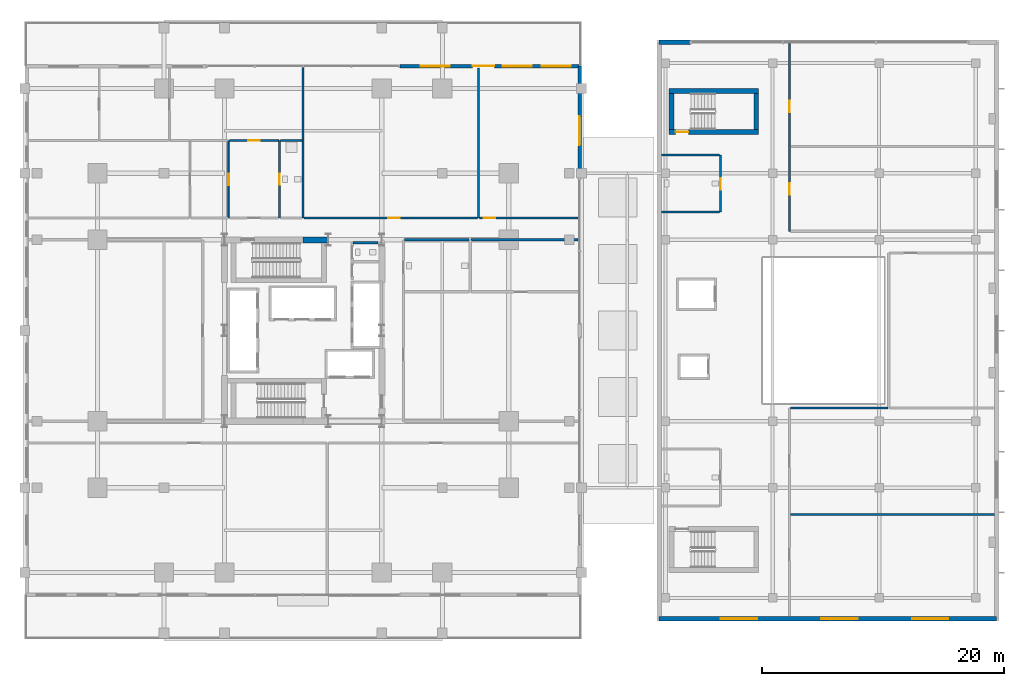
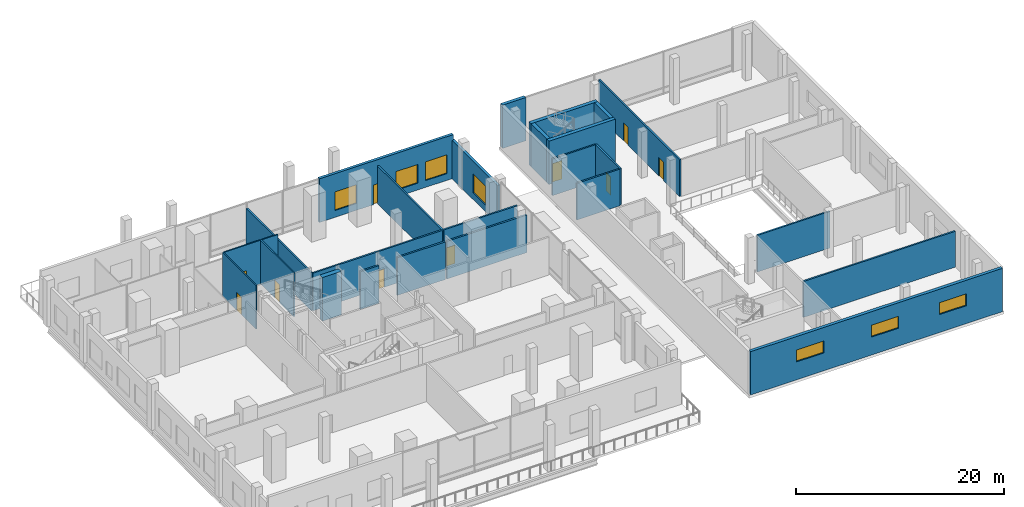
# One storey, part 28 of 36: 26 walls, 10 doors, 7 windows, 17 openings.
"""IFC4 building model written with IfcOpenShell, lengths in metres."""

from ifc_helpers import new_model, si_unit, direction, frame, frame_2d, origin, place, context, subcontext, project, spatial, rectangle, extrude, material, layer, layer_set, type_object, element, fill, save


model = new_model("IFC4")

# Units and contexts
model_context = context("Model", 3, precision=1e-05, world=origin(), true_north=direction((0.0, 1.0)))
body_context = subcontext(model_context, "Body", "Model", "MODEL_VIEW")
ifc_project = project(units=[si_unit("LENGTHUNIT", "METRE"), si_unit("AREAUNIT", "SQUARE_METRE"), si_unit("VOLUMEUNIT", "CUBIC_METRE"), si_unit("PLANEANGLEUNIT", "RADIAN"), si_unit("MASSUNIT", "GRAM", prefix="KILO")], contexts=[model_context])

# Site, building, storey
site_placement = place(None, origin())
site = spatial("IfcSite", under=ifc_project, at=site_placement, CompositionType="ELEMENT")
building_placement = place(site_placement, origin())
building = spatial("IfcBuilding", under=site, at=building_placement, Name="Barlavira Tower and Art Museum", CompositionType="ELEMENT")
storey_placement = place(building_placement, frame((0.0, 0.0, 11.39990234375)))
storey = spatial("IfcBuildingStorey", under=building, at=storey_placement, Name="L02", CompositionType="ELEMENT", Elevation=11.39990234375)

# Wall, opening, door
ifc_material_1 = material(Name="Gypsum acoustic stud partition", Category="gypsum")
ifc_layer_1 = layer(ifc_material_1, 0.1201171875, Name="Gypsum acoustic stud partition")
ifc_layer_set_1 = layer_set([ifc_layer_1], Name="Gypsum acoustic stud partition")
wall_type_1 = type_object("IfcWallType", Name="Apartment Internal Acoustic Partition 120", PredefinedType="PARTITIONING", material=ifc_layer_set_1)
wall_1_placement = place(storey_placement, frame((-6.14990234375, 9.300048828125, 0.0), z_axis=(0.0, 0.0, 1.0), x_axis=(0.0, 1.0, 0.0)))
wall_1 = element("IfcWall", 1, at=wall_1_placement, inside=storey, type_object=wall_type_1, Name="L02 Partition Wall 5", PredefinedType="PARTITIONING", context=body_context, shape_type="SweptSolid", body=[
    extrude(rectangle(XDim=6.39990234375, YDim=0.1201171875, at=frame_2d((3.199951171875, 0.0))), origin(), (0.0, 0.0, 1.0), 5.1201171875),
])
opening_1_placement = place(wall_1_placement, frame((2.72509765625, 0.0, 0.0)))
opening_1 = element("IfcOpeningElement", 2, at=opening_1_placement, cuts=wall_1, Name="Opening D-02", PredefinedType="OPENING", context=body_context, shape_type="SweptSolid", body=[
    extrude(rectangle(XDim=0.949951171875, YDim=2.10009765625, at=frame_2d((0.47509765625, 1.050048828125))), frame((0.0, 0.070068359375, 0.0), z_axis=(0.0, -1.0, 0.0), x_axis=(1.0, 0.0, 0.0)), (0.0, 0.0, 1.0), 0.14013671875),
])
ifc_material_2 = material(Name="Engineered coastal hardwood", Category="wood")
door_type_1 = type_object("IfcDoorType", Name="Living and Salon Glazed-Leaf Door 950x2100", OperationType="NOTDEFINED", PredefinedType="DOOR", material=ifc_material_2)
door_1_placement = place(opening_1_placement, origin())
door_1 = element("IfcDoor", 3, at=door_1_placement, inside=storey, type_object=door_type_1, Name="Apartment P2-NW Kitchen Door", OperationType="SINGLE_SWING_RIGHT", OverallHeight=2.10009765625, OverallWidth=0.949951171875, PredefinedType="DOOR", context=body_context, shape_type="SweptSolid", body=[
    extrude(rectangle(XDim=0.949951171875, YDim=2.10009765625, at=frame_2d((0.47509765625, 1.050048828125))), frame((0.0, 0.02490234375, 0.0), z_axis=(0.0, -1.0, 0.0), x_axis=(1.0, 0.0, 0.0)), (0.0, 0.0, 1.0), 0.050048828125),
])
fill(opening_1, door_1)

# Walls
ifc_material_3 = material(Name="Concrete C60", Category="concrete")
ifc_layer_2 = layer(ifc_material_3, 0.5, Name="Concrete C60")
ifc_layer_set_2 = layer_set([ifc_layer_2], Name="Concrete C60")
wall_type_2 = type_object("IfcWallType", Name="Core Structural Shear Wall 500 Concrete C60", PredefinedType="SHEAR", material=ifc_layer_set_2)
wall_2_placement = place(storey_placement, frame((0.0, 7.5, 0.0), z_axis=(0.0, 0.0, 1.0), x_axis=(1.0, 0.0, 0.0)))
element("IfcWall", 4, at=wall_2_placement, inside=storey, type_object=wall_type_2, Name="L02 Core Shear Wall CS-EN", PredefinedType="SHEAR", context=body_context, shape_type="SweptSolid", body=[
    extrude(rectangle(XDim=2.080078125, YDim=0.5, at=frame_2d((1.0400390625, 0.0))), origin(), (0.0, 0.0, 1.0), 5.1201171875),
])
ifc_material_4 = material(Name="Autoclaved aerated concrete masonry", Category="masonry")
ifc_layer_3 = layer(ifc_material_4, 0.199951171875, Name="Autoclaved aerated concrete masonry")
ifc_layer_set_3 = layer_set([ifc_layer_3], Name="Autoclaved aerated concrete masonry")
wall_type_3 = type_object("IfcWallType", Name="Fire Compartment and Shaft Wall 200", PredefinedType="SOLIDWALL", material=ifc_layer_set_3)
wall_3_placement = place(storey_placement, frame((4.1298828125, 7.25, 0.0), z_axis=(0.0, 0.0, 1.0), x_axis=(1.0, 0.0, 0.0)))
element("IfcWall", 5, at=wall_3_placement, inside=storey, type_object=wall_type_3, Name="L02 Partition Wall 31", PredefinedType="SOLIDWALL", context=body_context, shape_type="SweptSolid", body=[
    extrude(rectangle(XDim=2.070068359375, YDim=0.199951171875, at=frame_2d((1.03515625, 0.0))), origin(), (0.0, 0.0, 1.0), 4.41015625),
])
wall_4_placement = place(storey_placement, frame((8.3798828125, 7.5, 0.0), z_axis=(0.0, 0.0, 1.0), x_axis=(1.0, 0.0, 0.0)))
element("IfcWall", 6, at=wall_4_placement, inside=storey, type_object=wall_type_3, Name="L02 Partition Wall 33", PredefinedType="SOLIDWALL", context=body_context, shape_type="SweptSolid", body=[
    extrude(rectangle(XDim=5.340087890625, YDim=0.199951171875, at=frame_2d((2.669921875, 0.0))), origin(), (0.0, 0.0, 1.0), 4.41015625),
])
wall_5_placement = place(storey_placement, frame((13.8798828125, 7.5, 0.0), z_axis=(0.0, 0.0, 1.0), x_axis=(1.0, 0.0, 0.0)))
element("IfcWall", 7, at=wall_5_placement, inside=storey, type_object=wall_type_3, Name="L02 Partition Wall 34", PredefinedType="SOLIDWALL", context=body_context, shape_type="SweptSolid", body=[
    extrude(rectangle(XDim=8.855224609375, YDim=0.199951171875, at=frame_2d((4.427734375, 0.0))), origin(), (0.0, 0.0, 1.0), 4.41015625),
])
ifc_layer_4 = layer(ifc_material_1, 0.179931640625, Name="Gypsum acoustic stud partition")
ifc_layer_set_4 = layer_set([ifc_layer_4], Name="Gypsum acoustic stud partition")
wall_type_4 = type_object("IfcWallType", Name="Inter-Tenancy Party Partition Wall 180", PredefinedType="PARTITIONING", material=ifc_layer_set_4)
wall_6_placement = place(storey_placement, frame((0.0, 9.300048828125, 0.0), z_axis=(0.0, 0.0, 1.0), x_axis=(0.0, 1.0, 0.0)))
element("IfcWall", 8, at=wall_6_placement, inside=storey, type_object=wall_type_4, Name="L02 Partition Wall 7", PredefinedType="PARTITIONING", context=body_context, shape_type="SweptSolid", body=[
    extrude(rectangle(XDim=12.454833984375, YDim=0.179931640625, at=frame_2d((6.2275390625, 0.0))), origin(), (0.0, 0.0, 1.0), 4.47607421875),
])
wall_7_placement = place(storey_placement, frame((14.5, 9.300048828125, 0.0), z_axis=(0.0, 0.0, 1.0), x_axis=(0.0, 1.0, 0.0)))
element("IfcWall", 9, at=wall_7_placement, inside=storey, type_object=wall_type_4, Name="L02 Partition Wall 12", PredefinedType="PARTITIONING", context=body_context, shape_type="SweptSolid", body=[
    extrude(rectangle(XDim=12.39501953125, YDim=0.179931640625, at=frame_2d((6.197509765625, 0.0))), origin(), (0.0, 0.0, 1.0), 4.41015625),
])

# Wall, opening, door
wall_8_placement = place(storey_placement, frame((34.5, 9.800048828125, 0.0), z_axis=(0.0, 0.0, 1.0), x_axis=(0.0, 1.0, 0.0)))
wall_8 = element("IfcWall", 10, at=wall_8_placement, inside=storey, type_object=wall_type_4, Name="L02 Partition Wall 14", PredefinedType="PARTITIONING", context=body_context, shape_type="SweptSolid", body=[
    extrude(rectangle(XDim=4.699951171875, YDim=0.179931640625, at=frame_2d((2.35009765625, 0.0))), origin(), (0.0, 0.0, 1.0), 4.297119140625),
])
opening_2_placement = place(wall_8_placement, frame((1.824951171875, 0.0, 0.0)))
opening_2 = element("IfcOpeningElement", 11, at=opening_2_placement, cuts=wall_8, Name="Opening FD-60", PredefinedType="OPENING", context=body_context, shape_type="SweptSolid", body=[
    extrude(rectangle(XDim=0.949951171875, YDim=2.14990234375, at=frame_2d((0.47509765625, 1.074951171875))), frame((0.0, 0.10009765625, 0.0), z_axis=(0.0, -1.0, 0.0), x_axis=(1.0, 0.0, 0.0)), (0.0, 0.0, 1.0), 0.199951171875),
])
ifc_material_5 = material(Name="Brushed stainless steel", Category="steel")
door_type_2 = type_object("IfcDoorType", Name="Apartment Entrance and Riser Fire Door 950x2150 FD60S", OperationType="NOTDEFINED", PredefinedType="DOOR", material=ifc_material_5)
door_2_placement = place(opening_2_placement, origin())
door_2 = element("IfcDoor", 12, at=door_2_placement, inside=storey, type_object=door_type_2, Name="L02 Museum Visitor Restrooms Door", OperationType="SINGLE_SWING_LEFT", OverallHeight=2.14990234375, OverallWidth=0.949951171875, PredefinedType="DOOR", context=body_context, shape_type="SweptSolid", body=[
    extrude(rectangle(XDim=0.949951171875, YDim=2.14990234375, at=frame_2d((0.47509765625, 1.074951171875))), frame((0.0, 0.02490234375, 0.0), z_axis=(0.0, -1.0, 0.0), x_axis=(1.0, 0.0, 0.0)), (0.0, 0.0, 1.0), 0.050048828125),
])
fill(opening_2, door_2)

# Wall, openings, doors
wall_9_placement = place(storey_placement, frame((40.199951171875, 8.199951171875, 0.0), z_axis=(0.0, 0.0, 1.0), x_axis=(0.0, 1.0, 0.0)))
wall_9 = element("IfcWall", 13, at=wall_9_placement, inside=storey, type_object=wall_type_4, Name="L02 Partition Wall 16", PredefinedType="PARTITIONING", context=body_context, shape_type="SweptSolid", body=[
    extrude(rectangle(XDim=15.52001953125, YDim=0.179931640625, at=frame_2d((7.760009765625, 0.0))), origin(), (0.0, 0.0, 1.0), 4.297119140625),
])
opening_3_placement = place(wall_9_placement, frame((3.02490234375, 0.0, 0.0)))
opening_3 = element("IfcOpeningElement", 14, at=opening_3_placement, cuts=wall_9, Name="Opening FD-60", PredefinedType="OPENING", context=body_context, shape_type="SweptSolid", body=[
    extrude(rectangle(XDim=0.949951171875, YDim=2.14990234375, at=frame_2d((0.47509765625, 1.074951171875))), frame((0.0, 0.10009765625, 0.0), z_axis=(0.0, -1.0, 0.0), x_axis=(1.0, 0.0, 0.0)), (0.0, 0.0, 1.0), 0.199951171875),
])
opening_4_placement = place(wall_9_placement, frame((9.824951171875, 0.0, 0.0)))
opening_4 = element("IfcOpeningElement", 15, at=opening_4_placement, cuts=wall_9, Name="Opening FD-60", PredefinedType="OPENING", context=body_context, shape_type="SweptSolid", body=[
    extrude(rectangle(XDim=0.949951171875, YDim=2.14990234375, at=frame_2d((0.47509765625, 1.074951171875))), frame((0.0, 0.10009765625, 0.0), z_axis=(0.0, -1.0, 0.0), x_axis=(1.0, 0.0, 0.0)), (0.0, 0.0, 1.0), 0.199951171875),
])
door_3_placement = place(opening_3_placement, origin())
door_3 = element("IfcDoor", 16, at=door_3_placement, inside=storey, type_object=door_type_2, Name="L02 North Coastal Contemporary Art Gallery Door", OperationType="SINGLE_SWING_LEFT", OverallHeight=2.14990234375, OverallWidth=0.949951171875, PredefinedType="DOOR", context=body_context, shape_type="SweptSolid", body=[
    extrude(rectangle(XDim=0.949951171875, YDim=2.14990234375, at=frame_2d((0.47509765625, 1.074951171875))), frame((0.0, 0.02490234375, 0.0), z_axis=(0.0, -1.0, 0.0), x_axis=(1.0, 0.0, 0.0)), (0.0, 0.0, 1.0), 0.050048828125),
])
fill(opening_3, door_3)
door_4_placement = place(opening_4_placement, origin())
door_4 = element("IfcDoor", 17, at=door_4_placement, inside=storey, type_object=door_type_2, Name="L02 Curatorial Seminar Workshop Door", OperationType="SINGLE_SWING_RIGHT", OverallHeight=2.14990234375, OverallWidth=0.949951171875, PredefinedType="DOOR", context=body_context, shape_type="SweptSolid", body=[
    extrude(rectangle(XDim=0.949951171875, YDim=2.14990234375, at=frame_2d((0.47509765625, 1.074951171875))), frame((0.0, 0.02490234375, 0.0), z_axis=(0.0, -1.0, 0.0), x_axis=(1.0, 0.0, 0.0)), (0.0, 0.0, 1.0), 0.050048828125),
])
fill(opening_4, door_4)

# Walls
wall_10_placement = place(storey_placement, frame((40.280029296875, -15.199951171875, 0.0), z_axis=(0.0, 0.0, 1.0), x_axis=(1.0, 0.0, 0.0)))
element("IfcWall", 18, at=wall_10_placement, inside=storey, type_object=wall_type_4, Name="L02 Partition Wall 18", PredefinedType="PARTITIONING", context=body_context, shape_type="SweptSolid", body=[
    extrude(rectangle(XDim=16.864990234375, YDim=0.179931640625, at=frame_2d((8.4326171875, 0.0))), origin(), (0.0, 0.0, 1.0), 4.214111328125),
])
wall_11_placement = place(storey_placement, frame((40.280029296875, -6.39990234375, 0.0), z_axis=(0.0, 0.0, 1.0), x_axis=(1.0, 0.0, 0.0)))
element("IfcWall", 19, at=wall_11_placement, inside=storey, type_object=wall_type_4, Name="L02 Partition Wall 25", PredefinedType="PARTITIONING", context=body_context, shape_type="SweptSolid", body=[
    extrude(rectangle(XDim=8.0400390625, YDim=0.179931640625, at=frame_2d((4.02001953125, 0.0))), origin(), (0.0, 0.0, 1.0), 4.297119140625),
])

# Wall, opening, door
wall_12_placement = place(storey_placement, frame((0.080078125, 9.300048828125, 0.0), z_axis=(0.0, 0.0, 1.0), x_axis=(1.0, 0.0, 0.0)))
wall_12 = element("IfcWall", 20, at=wall_12_placement, inside=storey, type_object=wall_type_4, Name="L02 Partition Wall 40", PredefinedType="PARTITIONING", context=body_context, shape_type="SweptSolid", body=[
    extrude(rectangle(XDim=14.33984375, YDim=0.179931640625, at=frame_2d((7.169921875, 0.0))), origin(), (0.0, 0.0, 1.0), 4.41015625),
])
opening_5_placement = place(wall_12_placement, frame((6.945068359375, 0.0, 0.0)))
opening_5 = element("IfcOpeningElement", 21, at=opening_5_placement, cuts=wall_12, Name="Opening FD-60", PredefinedType="OPENING", context=body_context, shape_type="SweptSolid", body=[
    extrude(rectangle(XDim=0.949951171875, YDim=2.14990234375, at=frame_2d((0.47509765625, 1.074951171875))), frame((0.0, 0.10009765625, 0.0), z_axis=(0.0, -1.0, 0.0), x_axis=(1.0, 0.0, 0.0)), (0.0, 0.0, 1.0), 0.199951171875),
])
door_5_placement = place(opening_5_placement, origin())
door_5 = element("IfcDoor", 22, at=door_5_placement, inside=storey, type_object=door_type_2, Name="Garden Terrace Resident Dining Salon Door", OperationType="SINGLE_SWING_LEFT", OverallHeight=2.14990234375, OverallWidth=0.949951171875, PredefinedType="DOOR", context=body_context, shape_type="SweptSolid", body=[
    extrude(rectangle(XDim=0.949951171875, YDim=2.14990234375, at=frame_2d((0.47509765625, 1.074951171875))), frame((0.0, 0.02490234375, 0.0), z_axis=(0.0, -1.0, 0.0), x_axis=(1.0, 0.0, 0.0)), (0.0, 0.0, 1.0), 0.050048828125),
])
fill(opening_5, door_5)

wall_13_placement = place(storey_placement, frame((14.580078125, 9.300048828125, 0.0), z_axis=(0.0, 0.0, 1.0), x_axis=(1.0, 0.0, 0.0)))
wall_13 = element("IfcWall", 23, at=wall_13_placement, inside=storey, type_object=wall_type_4, Name="L02 Partition Wall 41", PredefinedType="PARTITIONING", context=body_context, shape_type="SweptSolid", body=[
    extrude(rectangle(XDim=8.155029296875, YDim=0.179931640625, at=frame_2d((4.07763671875, 0.0))), origin(), (0.0, 0.0, 1.0), 4.41015625),
])
opening_6_placement = place(wall_13_placement, frame((0.344970703125, 0.0, 0.0)))
opening_6 = element("IfcOpeningElement", 24, at=opening_6_placement, cuts=wall_13, Name="Opening FD-60", PredefinedType="OPENING", context=body_context, shape_type="SweptSolid", body=[
    extrude(rectangle(XDim=0.949951171875, YDim=2.14990234375, at=frame_2d((0.47509765625, 1.074951171875))), frame((0.0, 0.10009765625, 0.0), z_axis=(0.0, -1.0, 0.0), x_axis=(1.0, 0.0, 0.0)), (0.0, 0.0, 1.0), 0.199951171875),
])
door_6_placement = place(opening_6_placement, origin())
door_6 = element("IfcDoor", 25, at=door_6_placement, inside=storey, type_object=door_type_2, Name="Shared Garden Catering Kitchen Door", OperationType="SINGLE_SWING_RIGHT", OverallHeight=2.14990234375, OverallWidth=0.949951171875, PredefinedType="DOOR", context=body_context, shape_type="SweptSolid", body=[
    extrude(rectangle(XDim=0.949951171875, YDim=2.14990234375, at=frame_2d((0.47509765625, 1.074951171875))), frame((0.0, 0.02490234375, 0.0), z_axis=(0.0, -1.0, 0.0), x_axis=(1.0, 0.0, 0.0)), (0.0, 0.0, 1.0), 0.050048828125),
])
fill(opening_6, door_6)

# Walls
for number, where, z_axis, x_axis, name in (
    (26, (29.60498046875, 9.800048828125, 0.0), (0.0, 0.0, 1.0), (1.0, 0.0, 0.0), "L02 Partition Wall 42"),
    (27, (29.60498046875, 14.5, 0.0), (0.0, 0.0, 1.0), (1.0, 0.0, 0.0), "L02 Partition Wall 43"),
):
    element("IfcWall", number, at=place(storey_placement, frame(where, z_axis=z_axis, x_axis=x_axis)), inside=storey, type_object=wall_type_4, Name=name, PredefinedType="PARTITIONING", context=body_context, shape_type="SweptSolid", body=[
        extrude(rectangle(XDim=4.81494140625, YDim=0.179931640625, at=frame_2d((2.407470703125, 0.0))), origin(), (0.0, 0.0, 1.0), 4.297119140625),
    ])

# Wall, opening, door
ifc_layer_5 = layer(ifc_material_1, 0.139892578125, Name="Gypsum acoustic stud partition")
ifc_layer_set_5 = layer_set([ifc_layer_5], Name="Gypsum acoustic stud partition")
wall_type_5 = type_object("IfcWallType", Name="Moisture-Resistant Bathroom Partition 140", PredefinedType="PARTITIONING", material=ifc_layer_set_5)
wall_14_placement = place(storey_placement, frame((-1.949951171875, 9.300048828125, 0.0), z_axis=(0.0, 0.0, 1.0), x_axis=(0.0, 1.0, 0.0)))
wall_14 = element("IfcWall", 28, at=wall_14_placement, inside=storey, type_object=wall_type_5, Name="L02 Partition Wall 6", PredefinedType="PARTITIONING", context=body_context, shape_type="SweptSolid", body=[
    extrude(rectangle(XDim=6.39990234375, YDim=0.139892578125, at=frame_2d((3.199951171875, 0.0))), origin(), (0.0, 0.0, 1.0), 5.1201171875),
])
opening_7_placement = place(wall_14_placement, frame((2.75, 0.0, 0.0)))
opening_7 = element("IfcOpeningElement", 29, at=opening_7_placement, cuts=wall_14, Name="Opening D-WC", PredefinedType="OPENING", context=body_context, shape_type="SweptSolid", body=[
    extrude(rectangle(XDim=0.89990234375, YDim=2.10009765625, at=frame_2d((0.449951171875, 1.050048828125))), frame((0.0, 0.080078125, 0.0), z_axis=(0.0, -1.0, 0.0), x_axis=(1.0, 0.0, 0.0)), (0.0, 0.0, 1.0), 0.159912109375),
])
door_type_3 = type_object("IfcDoorType", Name="Accessible Bathroom Flush Door 900x2100", OperationType="NOTDEFINED", PredefinedType="DOOR", material=ifc_material_2)
door_7_placement = place(opening_7_placement, origin())
door_7 = element("IfcDoor", 30, at=door_7_placement, inside=storey, type_object=door_type_3, Name="Apartment P2-NW Hall Bathroom Door", OperationType="SINGLE_SWING_RIGHT", OverallHeight=2.10009765625, OverallWidth=0.89990234375, PredefinedType="DOOR", context=body_context, shape_type="SweptSolid", body=[
    extrude(rectangle(XDim=0.89990234375, YDim=2.10009765625, at=frame_2d((0.449951171875, 1.050048828125))), frame((0.0, 0.02490234375, 0.0), z_axis=(0.0, -1.0, 0.0), x_axis=(1.0, 0.0, 0.0)), (0.0, 0.0, 1.0), 0.050048828125),
])
fill(opening_7, door_7)

wall_15_placement = place(storey_placement, frame((-6.070068359375, 15.699951171875, 0.0), z_axis=(0.0, 0.0, 1.0), x_axis=(1.0, 0.0, 0.0)))
wall_15 = element("IfcWall", 31, at=wall_15_placement, inside=storey, type_object=wall_type_5, Name="L02 Partition Wall 49", PredefinedType="PARTITIONING", context=body_context, shape_type="SweptSolid", body=[
    extrude(rectangle(XDim=4.0400390625, YDim=0.139892578125, at=frame_2d((2.02001953125, 0.0))), origin(), (0.0, 0.0, 1.0), 5.1201171875),
])
opening_8_placement = place(wall_15_placement, frame((1.544921875, 0.0, 0.0)))
opening_8 = element("IfcOpeningElement", 32, at=opening_8_placement, cuts=wall_15, Name="Opening D-02", PredefinedType="OPENING", context=body_context, shape_type="SweptSolid", body=[
    extrude(rectangle(XDim=0.949951171875, YDim=2.10009765625, at=frame_2d((0.47509765625, 1.050048828125))), frame((0.0, 0.080078125, 0.0), z_axis=(0.0, -1.0, 0.0), x_axis=(1.0, 0.0, 0.0)), (0.0, 0.0, 1.0), 0.159912109375),
])
door_8_placement = place(opening_8_placement, origin())
door_8 = element("IfcDoor", 33, at=door_8_placement, inside=storey, type_object=door_type_1, Name="Apartment P2-NW Living Lounge Door", OperationType="SINGLE_SWING_RIGHT", OverallHeight=2.10009765625, OverallWidth=0.949951171875, PredefinedType="DOOR", context=body_context, shape_type="SweptSolid", body=[
    extrude(rectangle(XDim=0.949951171875, YDim=2.10009765625, at=frame_2d((0.47509765625, 1.050048828125))), frame((0.0, 0.02490234375, 0.0), z_axis=(0.0, -1.0, 0.0), x_axis=(1.0, 0.0, 0.0)), (0.0, 0.0, 1.0), 0.050048828125),
])
fill(opening_8, door_8)

# Wall
wall_16_placement = place(storey_placement, frame((-1.8701171875, 15.699951171875, 0.0), z_axis=(0.0, 0.0, 1.0), x_axis=(1.0, 0.0, 0.0)))
element("IfcWall", 34, at=wall_16_placement, inside=storey, type_object=wall_type_5, Name="L02 Partition Wall 50", PredefinedType="PARTITIONING", context=body_context, shape_type="SweptSolid", body=[
    extrude(rectangle(XDim=1.7900390625, YDim=0.139892578125, at=frame_2d((0.89501953125, 0.0))), origin(), (0.0, 0.0, 1.0), 5.1201171875),
])

# Wall, openings, windows
ifc_material_6 = material(Name="Precast concrete C40", Category="concrete")
ifc_layer_6 = layer(ifc_material_6, 0.35009765625, Name="Precast concrete C40")
ifc_layer_set_6 = layer_set([ifc_layer_6], Name="Precast concrete C40")
wall_type_6 = type_object("IfcWallType", Name="Museum Board-Formed Concrete Facade Wall 350 Concrete C40", PredefinedType="SOLIDWALL", material=ifc_layer_set_6)
wall_17_placement = place(storey_placement, frame((57.324951171875, -23.824951171875, 0.0), z_axis=(0.0, 0.0, 1.0), x_axis=(-1.0, 0.0, 0.0)))
wall_17 = element("IfcWall", 35, at=wall_17_placement, inside=storey, type_object=wall_type_6, Name="L02 Museum South Facade Wall", PredefinedType="SOLIDWALL", context=body_context, shape_type="SweptSolid", body=[
    extrude(rectangle(XDim=27.89990234375, YDim=0.35009765625, at=frame_2d((13.949951171875, 0.0))), origin(), (0.0, 0.0, 1.0), 5.080078125),
])
opening_9_placement = place(wall_17_placement, frame((4.0, 0.0, 2.10009765625)))
opening_9 = element("IfcOpeningElement", 36, at=opening_9_placement, cuts=wall_17, Name="Opening WN-03", PredefinedType="OPENING", context=body_context, shape_type="SweptSolid", body=[
    extrude(rectangle(XDim=3.0, YDim=1.39990234375, at=frame_2d((1.5, 0.699951171875))), frame((0.0, 0.18505859375, 0.0), z_axis=(0.0, -1.0, 0.0), x_axis=(1.0, 0.0, 0.0)), (0.0, 0.0, 1.0), 0.3701171875),
])
opening_10_placement = place(wall_17_placement, frame((11.5, 0.0, 2.10009765625)))
opening_10 = element("IfcOpeningElement", 37, at=opening_10_placement, cuts=wall_17, Name="Opening WN-03", PredefinedType="OPENING", context=body_context, shape_type="SweptSolid", body=[
    extrude(rectangle(XDim=3.0, YDim=1.39990234375, at=frame_2d((1.5, 0.699951171875))), frame((0.0, 0.18505859375, 0.0), z_axis=(0.0, -1.0, 0.0), x_axis=(1.0, 0.0, 0.0)), (0.0, 0.0, 1.0), 0.3701171875),
])
opening_11_placement = place(wall_17_placement, frame((19.800048828125, 0.0, 2.10009765625)))
opening_11 = element("IfcOpeningElement", 38, at=opening_11_placement, cuts=wall_17, Name="Opening WN-03", PredefinedType="OPENING", context=body_context, shape_type="SweptSolid", body=[
    extrude(rectangle(XDim=3.0, YDim=1.39990234375, at=frame_2d((1.5, 0.699951171875))), frame((0.0, 0.18505859375, 0.0), z_axis=(0.0, -1.0, 0.0), x_axis=(1.0, 0.0, 0.0)), (0.0, 0.0, 1.0), 0.3701171875),
])
ifc_material_7 = material(Name="Low-iron coastal laminated glass", Category="glass")
window_type_1 = type_object("IfcWindowType", Name="Museum Controlled-Daylight Clerestory Window 3000x1400", PartitioningType="SINGLE_PANEL", PredefinedType="WINDOW", material=ifc_material_7)
window_1_placement = place(opening_9_placement, origin())
window_1 = element("IfcWindow", 39, at=window_1_placement, inside=storey, type_object=window_type_1, Name="L02 Museum Clerestory Window S1", OverallHeight=1.39990234375, OverallWidth=3.0, PartitioningType="SINGLE_PANEL", PredefinedType="WINDOW", context=body_context, shape_type="SweptSolid", body=[
    extrude(rectangle(XDim=3.0, YDim=1.39990234375, at=frame_2d((1.5, 0.699951171875))), frame((0.0, 0.030029296875, 0.0), z_axis=(0.0, -1.0, 0.0), x_axis=(1.0, 0.0, 0.0)), (0.0, 0.0, 1.0), 0.06005859375),
])
fill(opening_9, window_1)
window_2_placement = place(opening_10_placement, origin())
window_2 = element("IfcWindow", 40, at=window_2_placement, inside=storey, type_object=window_type_1, Name="L02 Museum Clerestory Window S2", OverallHeight=1.39990234375, OverallWidth=3.0, PartitioningType="SINGLE_PANEL", PredefinedType="WINDOW", context=body_context, shape_type="SweptSolid", body=[
    extrude(rectangle(XDim=3.0, YDim=1.39990234375, at=frame_2d((1.5, 0.699951171875))), frame((0.0, 0.030029296875, 0.0), z_axis=(0.0, -1.0, 0.0), x_axis=(1.0, 0.0, 0.0)), (0.0, 0.0, 1.0), 0.06005859375),
])
fill(opening_10, window_2)
window_3_placement = place(opening_11_placement, origin())
window_3 = element("IfcWindow", 41, at=window_3_placement, inside=storey, type_object=window_type_1, Name="L02 Museum Clerestory Window S3", OverallHeight=1.39990234375, OverallWidth=3.0, PartitioningType="SINGLE_PANEL", PredefinedType="WINDOW", context=body_context, shape_type="SweptSolid", body=[
    extrude(rectangle(XDim=3.0, YDim=1.39990234375, at=frame_2d((1.5, 0.699951171875))), frame((0.0, 0.030029296875, 0.0), z_axis=(0.0, -1.0, 0.0), x_axis=(1.0, 0.0, 0.0)), (0.0, 0.0, 1.0), 0.06005859375),
])
fill(opening_11, window_3)

# Wall
wall_18_placement = place(storey_placement, frame((29.425048828125, 23.824951171875, 0.0), z_axis=(0.0, 0.0, 1.0), x_axis=(1.0, 0.0, 0.0)))
element("IfcWall", 42, at=wall_18_placement, inside=storey, type_object=wall_type_6, Name="L02 Museum North-West Pier Wall", PredefinedType="SOLIDWALL", context=body_context, shape_type="SweptSolid", body=[
    extrude(rectangle(XDim=2.574951171875, YDim=0.35009765625, at=frame_2d((1.28759765625, 0.0))), origin(), (0.0, 0.0, 1.0), 5.080078125),
])

# Wall, opening, window
ifc_layer_7 = layer(ifc_material_6, 0.300048828125, Name="Precast concrete C40")
ifc_layer_set_7 = layer_set([ifc_layer_7], Name="Precast concrete C40")
wall_type_7 = type_object("IfcWallType", Name="Podium Architectural Precast Facade Wall 300 Concrete C40", PredefinedType="SOLIDWALL", material=ifc_layer_set_7)
wall_19_placement = place(storey_placement, frame((22.85009765625, 13.0, 0.0), z_axis=(0.0, 0.0, 1.0), x_axis=(0.0, 1.0, 0.0)))
wall_19 = element("IfcWall", 43, at=wall_19_placement, inside=storey, type_object=wall_type_7, Name="L02 Podium East-North Wall", PredefinedType="SOLIDWALL", context=body_context, shape_type="SweptSolid", body=[
    extrude(rectangle(XDim=8.85009765625, YDim=0.300048828125, at=frame_2d((4.425048828125, 0.0))), origin(), (0.0, 0.0, 1.0), 4.47607421875),
])
opening_12_placement = place(wall_19_placement, frame((2.300048828125, 0.0, 0.800048828125)))
opening_12 = element("IfcOpeningElement", 44, at=opening_12_placement, cuts=wall_19, Name="Opening WN-02", PredefinedType="OPENING", context=body_context, shape_type="SweptSolid", body=[
    extrude(rectangle(XDim=2.39990234375, YDim=2.199951171875, at=frame_2d((1.199951171875, 1.10009765625))), frame((0.0, 0.16015625, 0.0), z_axis=(0.0, -1.0, 0.0), x_axis=(1.0, 0.0, 0.0)), (0.0, 0.0, 1.0), 0.320068359375),
])
window_type_2 = type_object("IfcWindowType", Name="Podium Garden Gallery Window 2400x2200", PartitioningType="SINGLE_PANEL", PredefinedType="WINDOW", material=ifc_material_7)
window_4_placement = place(opening_12_placement, origin())
window_4 = element("IfcWindow", 45, at=window_4_placement, inside=storey, type_object=window_type_2, Name="L02 Punched Facade Window EW-L02-EN-1", OverallHeight=2.199951171875, OverallWidth=2.39990234375, PartitioningType="SINGLE_PANEL", PredefinedType="WINDOW", context=body_context, shape_type="SweptSolid", body=[
    extrude(rectangle(XDim=2.39990234375, YDim=2.199951171875, at=frame_2d((1.199951171875, 1.10009765625))), frame((0.0, 0.030029296875, 0.0), z_axis=(0.0, -1.0, 0.0), x_axis=(1.0, 0.0, 0.0)), (0.0, 0.0, 1.0), 0.06005859375),
])
fill(opening_12, window_4)

# Wall, openings, windows, door
wall_20_placement = place(storey_placement, frame((8.0, 21.85009765625, 0.0), z_axis=(0.0, 0.0, 1.0), x_axis=(1.0, 0.0, 0.0)))
wall_20 = element("IfcWall", 46, at=wall_20_placement, inside=storey, type_object=wall_type_7, Name="L02 Podium North-East Wall", PredefinedType="SOLIDWALL", context=body_context, shape_type="SweptSolid", body=[
    extrude(rectangle(XDim=14.85009765625, YDim=0.300048828125, at=frame_2d((7.425048828125, 0.0))), origin(), (0.0, 0.0, 1.0), 5.1201171875),
])
opening_13_placement = place(wall_20_placement, frame((6.0, 0.0, 0.0)))
opening_13 = element("IfcOpeningElement", 47, at=opening_13_placement, cuts=wall_20, Name="Opening ED-03", PredefinedType="OPENING", context=body_context, shape_type="SweptSolid", body=[
    extrude(rectangle(XDim=1.800048828125, YDim=2.300048828125, at=frame_2d((0.89990234375, 1.14990234375))), frame((0.0, 0.16015625, 0.0), z_axis=(0.0, -1.0, 0.0), x_axis=(1.0, 0.0, 0.0)), (0.0, 0.0, 1.0), 0.320068359375),
])
opening_14_placement = place(wall_20_placement, frame((1.72998046875, 0.0, 0.800048828125)))
opening_14 = element("IfcOpeningElement", 48, at=opening_14_placement, cuts=wall_20, Name="Opening WN-02", PredefinedType="OPENING", context=body_context, shape_type="SweptSolid", body=[
    extrude(rectangle(XDim=2.39990234375, YDim=2.199951171875, at=frame_2d((1.199951171875, 1.10009765625))), frame((0.0, 0.16015625, 0.0), z_axis=(0.0, -1.0, 0.0), x_axis=(1.0, 0.0, 0.0)), (0.0, 0.0, 1.0), 0.320068359375),
])
opening_15_placement = place(wall_20_placement, frame((8.510009765625, 0.0, 0.800048828125)))
opening_15 = element("IfcOpeningElement", 49, at=opening_15_placement, cuts=wall_20, Name="Opening WN-02", PredefinedType="OPENING", context=body_context, shape_type="SweptSolid", body=[
    extrude(rectangle(XDim=2.39990234375, YDim=2.199951171875, at=frame_2d((1.199951171875, 1.10009765625))), frame((0.0, 0.16015625, 0.0), z_axis=(0.0, -1.0, 0.0), x_axis=(1.0, 0.0, 0.0)), (0.0, 0.0, 1.0), 0.320068359375),
])
opening_16_placement = place(wall_20_placement, frame((11.72998046875, 0.0, 0.800048828125)))
opening_16 = element("IfcOpeningElement", 50, at=opening_16_placement, cuts=wall_20, Name="Opening WN-02", PredefinedType="OPENING", context=body_context, shape_type="SweptSolid", body=[
    extrude(rectangle(XDim=2.39990234375, YDim=2.199951171875, at=frame_2d((1.199951171875, 1.10009765625))), frame((0.0, 0.16015625, 0.0), z_axis=(0.0, -1.0, 0.0), x_axis=(1.0, 0.0, 0.0)), (0.0, 0.0, 1.0), 0.320068359375),
])
window_5_placement = place(opening_14_placement, origin())
window_5 = element("IfcWindow", 51, at=window_5_placement, inside=storey, type_object=window_type_2, Name="L02 Punched Facade Window EW-L02-NE-1", OverallHeight=2.199951171875, OverallWidth=2.39990234375, PartitioningType="SINGLE_PANEL", PredefinedType="WINDOW", context=body_context, shape_type="SweptSolid", body=[
    extrude(rectangle(XDim=2.39990234375, YDim=2.199951171875, at=frame_2d((1.199951171875, 1.10009765625))), frame((0.0, 0.030029296875, 0.0), z_axis=(0.0, -1.0, 0.0), x_axis=(1.0, 0.0, 0.0)), (0.0, 0.0, 1.0), 0.06005859375),
])
fill(opening_14, window_5)
window_6_placement = place(opening_15_placement, origin())
window_6 = element("IfcWindow", 52, at=window_6_placement, inside=storey, type_object=window_type_2, Name="L02 Punched Facade Window EW-L02-NE-2", OverallHeight=2.199951171875, OverallWidth=2.39990234375, PartitioningType="SINGLE_PANEL", PredefinedType="WINDOW", context=body_context, shape_type="SweptSolid", body=[
    extrude(rectangle(XDim=2.39990234375, YDim=2.199951171875, at=frame_2d((1.199951171875, 1.10009765625))), frame((0.0, 0.030029296875, 0.0), z_axis=(0.0, -1.0, 0.0), x_axis=(1.0, 0.0, 0.0)), (0.0, 0.0, 1.0), 0.06005859375),
])
fill(opening_15, window_6)
window_7_placement = place(opening_16_placement, origin())
window_7 = element("IfcWindow", 53, at=window_7_placement, inside=storey, type_object=window_type_2, Name="L02 Punched Facade Window EW-L02-NE-3", OverallHeight=2.199951171875, OverallWidth=2.39990234375, PartitioningType="SINGLE_PANEL", PredefinedType="WINDOW", context=body_context, shape_type="SweptSolid", body=[
    extrude(rectangle(XDim=2.39990234375, YDim=2.199951171875, at=frame_2d((1.199951171875, 1.10009765625))), frame((0.0, 0.030029296875, 0.0), z_axis=(0.0, -1.0, 0.0), x_axis=(1.0, 0.0, 0.0)), (0.0, 0.0, 1.0), 0.06005859375),
])
fill(opening_16, window_7)
ifc_material_8 = material(Name="Pale anodised aluminium", Category="aluminium")
door_type_4 = type_object("IfcDoorType", Name="Terrace and Observation Deck Glazed Door 1800x2300", OperationType="NOTDEFINED", PredefinedType="DOOR", material=ifc_material_8)
door_9_placement = place(opening_13_placement, origin())
door_9 = element("IfcDoor", 54, at=door_9_placement, inside=storey, type_object=door_type_4, Name="L02 North Cascade Terrace Access Door", OperationType="DOUBLE_DOOR_SINGLE_SWING", OverallHeight=2.300048828125, OverallWidth=1.800048828125, PredefinedType="DOOR", context=body_context, shape_type="SweptSolid", body=[
    extrude(rectangle(XDim=1.800048828125, YDim=2.300048828125, at=frame_2d((0.89990234375, 1.14990234375))), frame((0.0, 0.02490234375, 0.0), z_axis=(0.0, -1.0, 0.0), x_axis=(1.0, 0.0, 0.0)), (0.0, 0.0, 1.0), 0.050048828125),
])
fill(opening_13, door_9)

# Walls
ifc_material_9 = material(Name="Concrete C55", Category="concrete")
ifc_layer_8 = layer(ifc_material_9, 0.39990234375, Name="Concrete C55")
ifc_layer_set_8 = layer_set([ifc_layer_8], Name="Concrete C55")
wall_type_8 = type_object("IfcWallType", Name="Upper Core Shear Wall 400 Concrete C55", PredefinedType="SHEAR", material=ifc_layer_set_8)
wall_21_placement = place(storey_placement, frame((30.25, 19.800048828125, 0.0), z_axis=(0.0, 0.0, 1.0), x_axis=(1.0, 0.0, 0.0)))
element("IfcWall", 55, at=wall_21_placement, inside=storey, type_object=wall_type_8, Name="L02 ST-M2 North Shaft Wall", PredefinedType="SHEAR", context=body_context, shape_type="SweptSolid", body=[
    extrude(rectangle(XDim=7.39990234375, YDim=0.39990234375, at=frame_2d((3.699951171875, 0.0))), origin(), (0.0, 0.0, 1.0), 5.080078125),
])
for number, where, z_axis, x_axis, name in (
    (56, (37.449951171875, 16.60009765625, 0.0), (0.0, 0.0, 1.0), (0.0, 1.0, 0.0), "L02 ST-M2 East Half-Landing Wall"),
    (57, (30.449951171875, 16.60009765625, 0.0), (0.0, 0.0, 1.0), (0.0, 1.0, 0.0), "L02 ST-M2 West Shaft Wall"),
):
    element("IfcWall", number, at=place(storey_placement, frame(where, z_axis=z_axis, x_axis=x_axis)), inside=storey, type_object=wall_type_8, Name=name, PredefinedType="SHEAR", context=body_context, shape_type="SweptSolid", body=[
        extrude(rectangle(XDim=3.0, YDim=0.39990234375, at=frame_2d((1.5, 0.0))), origin(), (0.0, 0.0, 1.0), 5.080078125),
    ])

# Wall, opening, door
wall_22_placement = place(storey_placement, frame((37.64990234375, 16.39990234375, 0.0), z_axis=(0.0, 0.0, 1.0), x_axis=(-1.0, 0.0, 0.0)))
wall_22 = element("IfcWall", 58, at=wall_22_placement, inside=storey, type_object=wall_type_8, Name="L02 ST-M2 South Landing Wall", PredefinedType="SHEAR", context=body_context, shape_type="SweptSolid", body=[
    extrude(rectangle(XDim=7.39990234375, YDim=0.39990234375, at=frame_2d((3.699951171875, 0.0))), origin(), (0.0, 0.0, 1.0), 5.080078125),
])
opening_17_placement = place(wall_22_placement, frame((5.820068359375, 0.0, 0.0)))
opening_17 = element("IfcOpeningElement", 59, at=opening_17_placement, cuts=wall_22, Name="Opening FD-90", PredefinedType="OPENING", context=body_context, shape_type="SweptSolid", body=[
    extrude(rectangle(XDim=1.050048828125, YDim=2.14990234375, at=frame_2d((0.52490234375, 1.074951171875))), frame((0.0, 0.2099609375, 0.0), z_axis=(0.0, -1.0, 0.0), x_axis=(1.0, 0.0, 0.0)), (0.0, 0.0, 1.0), 0.419921875),
])
door_type_5 = type_object("IfcDoorType", Name="Stair and Refuge Fire Door 1050x2150 FD90S", OperationType="NOTDEFINED", PredefinedType="DOOR", material=ifc_material_5)
door_10_placement = place(opening_17_placement, origin())
door_10 = element("IfcDoor", 60, at=door_10_placement, inside=storey, type_object=door_type_5, Name="L02 Museum North Stair ST-M2 Fire Door", OperationType="SINGLE_SWING_RIGHT", OverallHeight=2.14990234375, OverallWidth=1.050048828125, PredefinedType="DOOR", context=body_context, shape_type="SweptSolid", body=[
    extrude(rectangle(XDim=1.050048828125, YDim=2.14990234375, at=frame_2d((0.52490234375, 1.074951171875))), frame((0.0, 0.02490234375, 0.0), z_axis=(0.0, -1.0, 0.0), x_axis=(1.0, 0.0, 0.0)), (0.0, 0.0, 1.0), 0.050048828125),
])
fill(opening_17, door_10)

save(model, "model.ifc")
